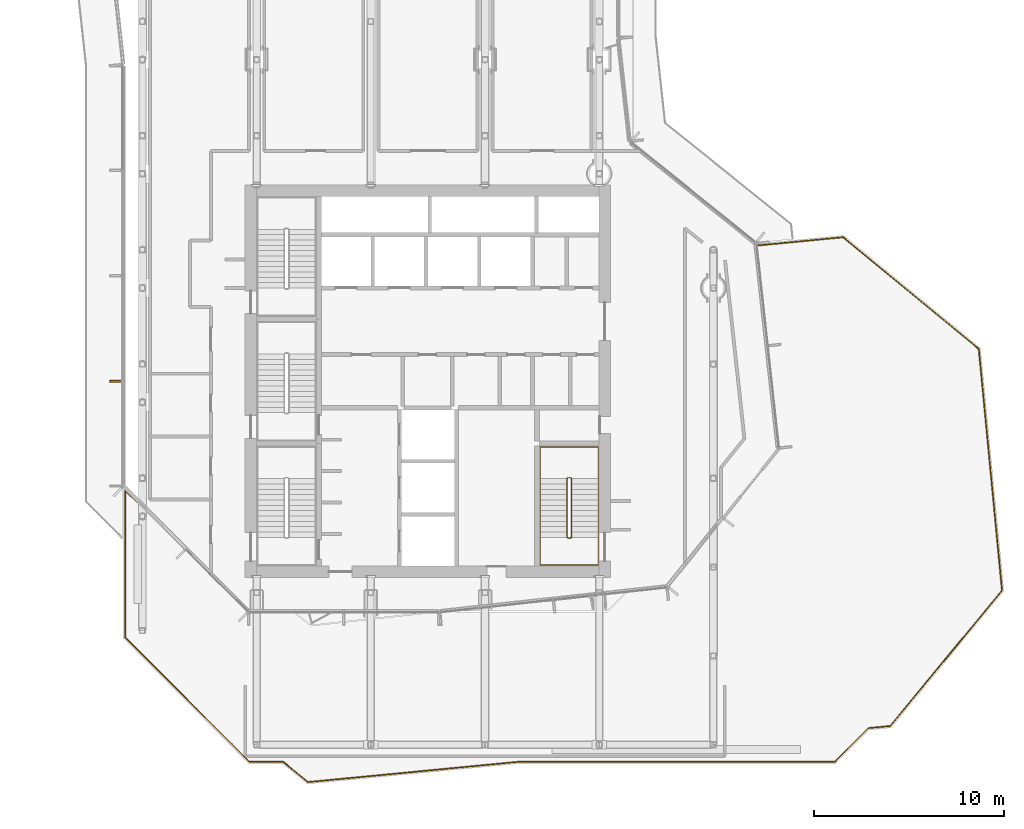
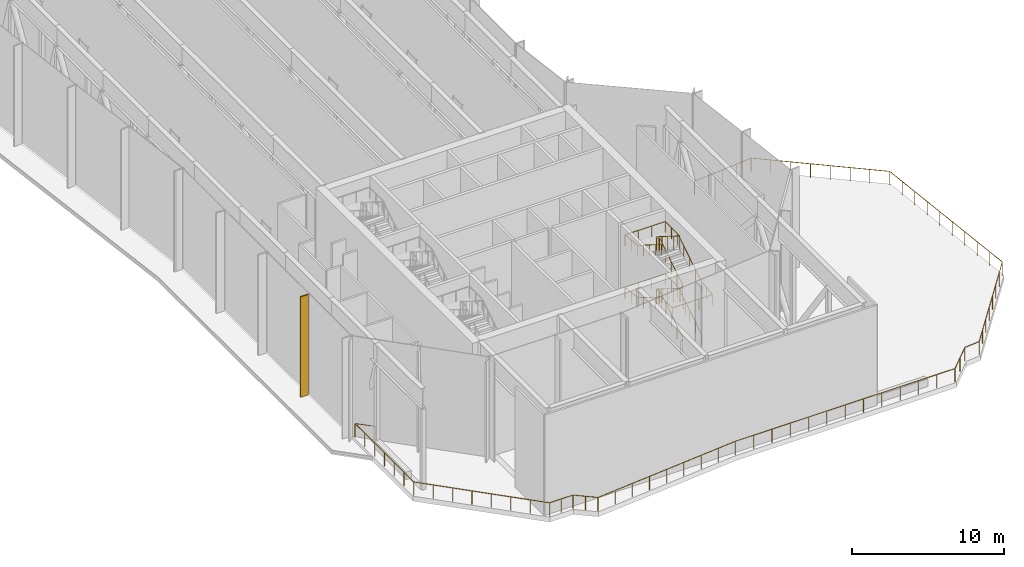
# One storey, part 17 of 22: 3 railings, 1 covering.
"""IFC4 building model written with IfcOpenShell, lengths in metres."""

from ifc_helpers import new_model, si_unit, direction, frame, origin, origin_2d, place, context, subcontext, project, spatial, rectangle, circle, extrude, material, layer, layer_set, type_object, element, save


model = new_model("IFC4")

# Units and contexts
model_context = context("Model", 3, precision=1e-05, world=origin(), true_north=direction((0.0, 1.0)))
body_context = subcontext(model_context, "Body", "Model", "MODEL_VIEW")
ifc_project = project(units=[si_unit("LENGTHUNIT", "METRE"), si_unit("AREAUNIT", "SQUARE_METRE"), si_unit("VOLUMEUNIT", "CUBIC_METRE"), si_unit("PLANEANGLEUNIT", "RADIAN"), si_unit("MASSUNIT", "GRAM", prefix="KILO")], contexts=[model_context])

# Site, building, storey
site_placement = place(None, origin())
site = spatial("IfcSite", under=ifc_project, at=site_placement, CompositionType="ELEMENT")
building_placement = place(site_placement, origin())
building = spatial("IfcBuilding", under=site, at=building_placement, Name="Welwitschia Terrace Campus", CompositionType="ELEMENT")
storey_placement = place(building_placement, frame((0.0, 0.0, 197.0)))
storey = spatial("IfcBuildingStorey", under=building, at=storey_placement, Name="L44", CompositionType="ELEMENT", Elevation=197.0)

# Covering
ifc_material_1 = material(Name="Bronze anodised aluminium", Category="aluminium")
ifc_layer = layer(ifc_material_1, 0.10009765625)
ifc_layer_set = layer_set([ifc_layer], Name="Bronze anodised aluminium")
covering_type = type_object("IfcCoveringType", Name="Bronze fin 100x600", PredefinedType="USERDEFINED", material=ifc_layer_set)
covering_placement = place(storey_placement, frame((-1.429931640625, 15.1025390625, 0.0), z_axis=(0.0, 0.0, 1.0), x_axis=(0.0, -1.0, 0.0)))
element("IfcCovering", 1, at=covering_placement, inside=storey, type_object=covering_type, Name="Fin L44.9.3", ObjectType="FIN", PredefinedType="USERDEFINED", context=body_context, shape_type="SweptSolid", body=[
    extrude(rectangle(XDim=0.10009765625, YDim=0.60009765625, at=origin_2d()), origin(), (0.0, 0.0, 1.0), 8.050048828125),
])

# Railings
ifc_material_2 = material(Name="Stainless steel grade 316", Category="steel")
railing_type_1 = type_object("IfcRailingType", Name="Guard 1100", PredefinedType="GUARDRAIL", material=ifc_material_2)
railing_1_placement = place(storey_placement, frame((32.281005859375, 22.227783203125, 0.0)))
element("IfcRailing", 2, at=railing_1_placement, inside=storey, type_object=railing_type_1, Name="Guard terrace L44:0:0.0", PredefinedType="GUARDRAIL", context=body_context, shape_type="SweptSolid", body=[
    extrude(circle(Radius=0.02392578125, at=origin_2d()), frame((0.0, 0.0, 1.076171875), z_axis=(0.995373656434, 0.096079571591, 0.0), x_axis=(-0.096079571591, 0.995373656434, 0.0)), (0.0, 0.0, 1.0), 4.56103515625),
    extrude(circle(Radius=0.02392578125, at=origin_2d()), frame((4.5400390625, 0.438232421875, 1.076171875), z_axis=(0.771624765853, -0.636077998929, 0.0), x_axis=(0.636077998929, 0.771624765853, 0.0)), (0.0, 0.0, 1.0), 9.23095703125),
    extrude(circle(Radius=0.02392578125, at=origin_2d()), frame((11.662841796875, -5.433349609375, 1.076171875), z_axis=(0.095831391641, -0.995397581058, 0.0), x_axis=(0.995397581058, 0.095831391641, 0.0)), (0.0, 0.0, 1.0), 12.74560546875),
    extrude(circle(Radius=0.02392578125, at=origin_2d()), frame((12.88427734375, -18.120361328125, 1.076171875), z_axis=(-0.636075232578, -0.771627046248, 0.0), x_axis=(0.771627046248, -0.636075232578, 0.0)), (0.0, 0.0, 1.0), 9.23046875),
    extrude(circle(Radius=0.02392578125, at=origin_2d()), frame((7.012939453125, -25.242919921875, 1.076171875), z_axis=(-0.995381420541, -0.0959991023, 0.0), x_axis=(0.0959991023, -0.995381420541, 0.0)), (0.0, 0.0, 1.0), 1.152099609375),
    extrude(circle(Radius=0.02392578125, at=origin_2d()), frame((5.8662109375, -25.353515625, 1.076171875), z_axis=(-0.70715542807, -0.707058130956, 0.0), x_axis=(0.707058130956, -0.70715542807, 0.0)), (0.0, 0.0, 1.0), 2.50927734375),
    extrude(circle(Radius=0.02392578125, at=origin_2d()), frame((4.091796875, -27.127685546875, 1.076171875), z_axis=(-1.0, 0.0, 0.0), x_axis=(0.0, -1.0, 0.0)), (0.0, 0.0, 1.0), 16.65283203125),
    extrude(circle(Radius=0.02392578125, at=origin_2d()), frame((-12.56103515625, -27.127685546875, 1.076171875), z_axis=(-0.995394809303, -0.095860177408, 0.0), x_axis=(0.095860177408, -0.995394809303, 0.0)), (0.0, 0.0, 1.0), 11.081298828125),
    extrude(circle(Radius=0.02392578125, at=origin_2d()), frame((-23.59130859375, -28.18994140625, 1.076171875), z_axis=(-0.771554474725, 0.636163259338, 0.0), x_axis=(-0.636163259338, -0.771554474725, 0.0)), (0.0, 0.0, 1.0), 1.669677734375),
    extrude(circle(Radius=0.02392578125, at=origin_2d()), frame((-24.879638671875, -27.127685546875, 1.076171875), z_axis=(-1.0, 0.0, 0.0), x_axis=(0.0, -1.0, 0.0)), (0.0, 0.0, 1.0), 1.774169921875),
    extrude(circle(Radius=0.02392578125, at=origin_2d()), frame((-26.65380859375, -27.127685546875, 1.076171875), z_axis=(-0.707106781187, 0.707106781187, 0.0), x_axis=(-0.707106781187, -0.707106781187, 0.0)), (0.0, 0.0, 1.0), 9.230712890625),
    extrude(circle(Radius=0.02392578125, at=origin_2d()), frame((-33.180908203125, -20.6005859375, 1.076171875), z_axis=(0.0, 1.0, 0.0), x_axis=(-1.0, 0.0, 0.0)), (0.0, 0.0, 1.0), 7.71728515625),
    extrude(circle(Radius=0.02392578125, at=origin_2d()), frame((-33.180908203125, -12.88330078125, 1.076171875), z_axis=(0.73183703642, -0.681479678438, 0.0), x_axis=(0.681479678438, 0.73183703642, 0.0)), (0.0, 0.0, 1.0), 1.401123046875),
    extrude(circle(Radius=0.02099609375, at=origin_2d()), origin(), (0.0, 0.0, 1.0), 1.052001953125),
    extrude(circle(Radius=0.02099609375, at=origin_2d()), frame((1.135009765625, 0.109619140625, 0.0)), (0.0, 0.0, 1.0), 1.052001953125),
    extrude(circle(Radius=0.02099609375, at=origin_2d()), frame((2.27001953125, 0.21923828125, 0.0)), (0.0, 0.0, 1.0), 1.052001953125),
    extrude(circle(Radius=0.02099609375, at=origin_2d()), frame((3.405029296875, 0.32861328125, 0.0)), (0.0, 0.0, 1.0), 1.052001953125),
    extrude(circle(Radius=0.02099609375, at=origin_2d()), frame((4.5400390625, 0.438232421875, 0.0)), (0.0, 0.0, 1.0), 1.052001953125),
    extrude(circle(Radius=0.02099609375, at=origin_2d()), frame((5.5576171875, -0.400634765625, 0.0)), (0.0, 0.0, 1.0), 1.052001953125),
    extrude(circle(Radius=0.02099609375, at=origin_2d()), frame((6.5751953125, -1.2392578125, 0.0)), (0.0, 0.0, 1.0), 1.052001953125),
    extrude(circle(Radius=0.02099609375, at=origin_2d()), frame((7.5927734375, -2.078125, 0.0)), (0.0, 0.0, 1.0), 1.052001953125),
    extrude(circle(Radius=0.02099609375, at=origin_2d()), frame((8.610107421875, -2.9169921875, 0.0)), (0.0, 0.0, 1.0), 1.052001953125),
    extrude(circle(Radius=0.02099609375, at=origin_2d()), frame((9.627685546875, -3.755859375, 0.0)), (0.0, 0.0, 1.0), 1.052001953125),
    extrude(circle(Radius=0.02099609375, at=origin_2d()), frame((10.645263671875, -4.594482421875, 0.0)), (0.0, 0.0, 1.0), 1.052001953125),
    extrude(circle(Radius=0.02099609375, at=origin_2d()), frame((11.662841796875, -5.433349609375, 0.0)), (0.0, 0.0, 1.0), 1.052001953125),
    extrude(circle(Radius=0.02099609375, at=origin_2d()), frame((11.798583984375, -6.843017578125, 0.0)), (0.0, 0.0, 1.0), 1.052001953125),
    extrude(circle(Radius=0.02099609375, at=origin_2d()), frame((11.934326171875, -8.252685546875, 0.0)), (0.0, 0.0, 1.0), 1.052001953125),
    extrude(circle(Radius=0.02099609375, at=origin_2d()), frame((12.070068359375, -9.662353515625, 0.0)), (0.0, 0.0, 1.0), 1.052001953125),
    extrude(circle(Radius=0.02099609375, at=origin_2d()), frame((12.205810546875, -11.072021484375, 0.0)), (0.0, 0.0, 1.0), 1.052001953125),
    extrude(circle(Radius=0.02099609375, at=origin_2d()), frame((12.34130859375, -12.481689453125, 0.0)), (0.0, 0.0, 1.0), 1.052001953125),
    extrude(circle(Radius=0.02099609375, at=origin_2d()), frame((12.47705078125, -13.891357421875, 0.0)), (0.0, 0.0, 1.0), 1.052001953125),
    extrude(circle(Radius=0.02099609375, at=origin_2d()), frame((12.61279296875, -15.301025390625, 0.0)), (0.0, 0.0, 1.0), 1.052001953125),
    extrude(circle(Radius=0.02099609375, at=origin_2d()), frame((12.74853515625, -16.710693359375, 0.0)), (0.0, 0.0, 1.0), 1.052001953125),
    extrude(circle(Radius=0.02099609375, at=origin_2d()), frame((12.88427734375, -18.120361328125, 0.0)), (0.0, 0.0, 1.0), 1.052001953125),
    extrude(circle(Radius=0.02099609375, at=origin_2d()), frame((12.04541015625, -19.137939453125, 0.0)), (0.0, 0.0, 1.0), 1.052001953125),
    extrude(circle(Radius=0.02099609375, at=origin_2d()), frame((11.206787109375, -20.1552734375, 0.0)), (0.0, 0.0, 1.0), 1.052001953125),
    extrude(circle(Radius=0.02099609375, at=origin_2d()), frame((10.367919921875, -21.1728515625, 0.0)), (0.0, 0.0, 1.0), 1.052001953125),
    extrude(circle(Radius=0.02099609375, at=origin_2d()), frame((9.529296875, -22.1904296875, 0.0)), (0.0, 0.0, 1.0), 1.052001953125),
    extrude(circle(Radius=0.02099609375, at=origin_2d()), frame((8.6904296875, -23.2080078125, 0.0)), (0.0, 0.0, 1.0), 1.052001953125),
    extrude(circle(Radius=0.02099609375, at=origin_2d()), frame((7.851806640625, -24.225341796875, 0.0)), (0.0, 0.0, 1.0), 1.052001953125),
    extrude(circle(Radius=0.02099609375, at=origin_2d()), frame((7.012939453125, -25.242919921875, 0.0)), (0.0, 0.0, 1.0), 1.052001953125),
    extrude(circle(Radius=0.02099609375, at=origin_2d()), frame((5.8662109375, -25.353515625, 0.0)), (0.0, 0.0, 1.0), 1.052001953125),
    extrude(circle(Radius=0.02099609375, at=origin_2d()), frame((4.97900390625, -26.24072265625, 0.0)), (0.0, 0.0, 1.0), 1.052001953125),
    extrude(circle(Radius=0.02099609375, at=origin_2d()), frame((4.091796875, -27.127685546875, 0.0)), (0.0, 0.0, 1.0), 1.052001953125),
    extrude(circle(Radius=0.02099609375, at=origin_2d()), frame((2.7041015625, -27.127685546875, 0.0)), (0.0, 0.0, 1.0), 1.052001953125),
    extrude(circle(Radius=0.02099609375, at=origin_2d()), frame((1.31640625, -27.127685546875, 0.0)), (0.0, 0.0, 1.0), 1.052001953125),
    extrude(circle(Radius=0.02099609375, at=origin_2d()), frame((-0.0712890625, -27.127685546875, 0.0)), (0.0, 0.0, 1.0), 1.052001953125),
    extrude(circle(Radius=0.02099609375, at=origin_2d()), frame((-1.459228515625, -27.127685546875, 0.0)), (0.0, 0.0, 1.0), 1.052001953125),
    extrude(circle(Radius=0.02099609375, at=origin_2d()), frame((-2.846923828125, -27.127685546875, 0.0)), (0.0, 0.0, 1.0), 1.052001953125),
    extrude(circle(Radius=0.02099609375, at=origin_2d()), frame((-4.234619140625, -27.127685546875, 0.0)), (0.0, 0.0, 1.0), 1.052001953125),
    extrude(circle(Radius=0.02099609375, at=origin_2d()), frame((-5.622314453125, -27.127685546875, 0.0)), (0.0, 0.0, 1.0), 1.052001953125),
    extrude(circle(Radius=0.02099609375, at=origin_2d()), frame((-7.010009765625, -27.127685546875, 0.0)), (0.0, 0.0, 1.0), 1.052001953125),
    extrude(circle(Radius=0.02099609375, at=origin_2d()), frame((-8.39794921875, -27.127685546875, 0.0)), (0.0, 0.0, 1.0), 1.052001953125),
    extrude(circle(Radius=0.02099609375, at=origin_2d()), frame((-9.78564453125, -27.127685546875, 0.0)), (0.0, 0.0, 1.0), 1.052001953125),
    extrude(circle(Radius=0.02099609375, at=origin_2d()), frame((-11.17333984375, -27.127685546875, 0.0)), (0.0, 0.0, 1.0), 1.052001953125),
    extrude(circle(Radius=0.02099609375, at=origin_2d()), frame((-12.56103515625, -27.127685546875, 0.0)), (0.0, 0.0, 1.0), 1.052001953125),
    extrude(circle(Radius=0.02099609375, at=origin_2d()), frame((-13.93994140625, -27.260498046875, 0.0)), (0.0, 0.0, 1.0), 1.052001953125),
    extrude(circle(Radius=0.02099609375, at=origin_2d()), frame((-15.318603515625, -27.393310546875, 0.0)), (0.0, 0.0, 1.0), 1.052001953125),
    extrude(circle(Radius=0.02099609375, at=origin_2d()), frame((-16.697265625, -27.526123046875, 0.0)), (0.0, 0.0, 1.0), 1.052001953125),
    extrude(circle(Radius=0.02099609375, at=origin_2d()), frame((-18.076171875, -27.65869140625, 0.0)), (0.0, 0.0, 1.0), 1.052001953125),
    extrude(circle(Radius=0.02099609375, at=origin_2d()), frame((-19.455078125, -27.79150390625, 0.0)), (0.0, 0.0, 1.0), 1.052001953125),
    extrude(circle(Radius=0.02099609375, at=origin_2d()), frame((-20.833740234375, -27.92431640625, 0.0)), (0.0, 0.0, 1.0), 1.052001953125),
    extrude(circle(Radius=0.02099609375, at=origin_2d()), frame((-22.21240234375, -28.05712890625, 0.0)), (0.0, 0.0, 1.0), 1.052001953125),
    extrude(circle(Radius=0.02099609375, at=origin_2d()), frame((-23.59130859375, -28.18994140625, 0.0)), (0.0, 0.0, 1.0), 1.052001953125),
    extrude(circle(Radius=0.02099609375, at=origin_2d()), frame((-24.2353515625, -27.65869140625, 0.0)), (0.0, 0.0, 1.0), 1.052001953125),
    extrude(circle(Radius=0.02099609375, at=origin_2d()), frame((-24.879638671875, -27.127685546875, 0.0)), (0.0, 0.0, 1.0), 1.052001953125),
    extrude(circle(Radius=0.02099609375, at=origin_2d()), frame((-25.7666015625, -27.127685546875, 0.0)), (0.0, 0.0, 1.0), 1.052001953125),
    extrude(circle(Radius=0.02099609375, at=origin_2d()), frame((-26.65380859375, -27.127685546875, 0.0)), (0.0, 0.0, 1.0), 1.052001953125),
    extrude(circle(Radius=0.02099609375, at=origin_2d()), frame((-27.586181640625, -26.1953125, 0.0)), (0.0, 0.0, 1.0), 1.052001953125),
    extrude(circle(Radius=0.02099609375, at=origin_2d()), frame((-28.518798828125, -25.2626953125, 0.0)), (0.0, 0.0, 1.0), 1.052001953125),
    extrude(circle(Radius=0.02099609375, at=origin_2d()), frame((-29.451171875, -24.330322265625, 0.0)), (0.0, 0.0, 1.0), 1.052001953125),
    extrude(circle(Radius=0.02099609375, at=origin_2d()), frame((-30.383544921875, -23.39794921875, 0.0)), (0.0, 0.0, 1.0), 1.052001953125),
    extrude(circle(Radius=0.02099609375, at=origin_2d()), frame((-31.31591796875, -22.465576171875, 0.0)), (0.0, 0.0, 1.0), 1.052001953125),
    extrude(circle(Radius=0.02099609375, at=origin_2d()), frame((-32.24853515625, -21.532958984375, 0.0)), (0.0, 0.0, 1.0), 1.052001953125),
    extrude(circle(Radius=0.02099609375, at=origin_2d()), frame((-33.180908203125, -20.6005859375, 0.0)), (0.0, 0.0, 1.0), 1.052001953125),
    extrude(circle(Radius=0.02099609375, at=origin_2d()), frame((-33.180908203125, -19.314453125, 0.0)), (0.0, 0.0, 1.0), 1.052001953125),
    extrude(circle(Radius=0.02099609375, at=origin_2d()), frame((-33.180908203125, -18.028076171875, 0.0)), (0.0, 0.0, 1.0), 1.052001953125),
    extrude(circle(Radius=0.02099609375, at=origin_2d()), frame((-33.180908203125, -16.741943359375, 0.0)), (0.0, 0.0, 1.0), 1.052001953125),
    extrude(circle(Radius=0.02099609375, at=origin_2d()), frame((-33.180908203125, -15.455810546875, 0.0)), (0.0, 0.0, 1.0), 1.052001953125),
    extrude(circle(Radius=0.02099609375, at=origin_2d()), frame((-33.180908203125, -14.16943359375, 0.0)), (0.0, 0.0, 1.0), 1.052001953125),
    extrude(circle(Radius=0.02099609375, at=origin_2d()), frame((-33.180908203125, -12.88330078125, 0.0)), (0.0, 0.0, 1.0), 1.052001953125),
    extrude(circle(Radius=0.02099609375, at=origin_2d()), frame((-32.155517578125, -13.838134765625, 0.0)), (0.0, 0.0, 1.0), 1.052001953125),
])
ifc_material_3 = material(Name="Steel S355", Category="steel")
railing_type_2 = type_object("IfcRailingType", Name="Stair guard 1100", PredefinedType="GUARDRAIL", material=ifc_material_3)
railing_2_placement = place(storey_placement, frame((22.35009765625, 6.85009765625, 0.0)))
element("IfcRailing", 3, at=railing_2_placement, inside=storey, type_object=railing_type_2, Name="L44 S2 stair guard", PredefinedType="GUARDRAIL", context=body_context, shape_type="SweptSolid", body=[
    extrude(circle(Radius=0.02392578125, at=origin_2d()), frame((0.0, 0.0, 1.076171875), z_axis=(1.0, 0.0, 0.0), x_axis=(0.0, 1.0, 0.0)), (0.0, 0.0, 1.0), 0.14990234375),
    extrude(circle(Radius=0.02392578125, at=origin_2d()), frame((0.14990234375, 0.0, 1.076171875), z_axis=(0.265155923931, 0.263862480399, 0.927399011991), x_axis=(-0.705375805398, 0.708833529934, 0.0)), (0.0, 0.0, 1.0), 0.188720703125),
    extrude(circle(Radius=0.02392578125, at=origin_2d()), frame((0.199951171875, 0.0498046875, 1.2509765625), z_axis=(0.0, 0.847998304005, 0.529998940003), x_axis=(-1.0, 0.0, 0.0)), (0.0, 0.0, 1.0), 3.632080078125),
    extrude(circle(Radius=0.02392578125, at=origin_2d()), frame((0.199951171875, 3.1298828125, 3.17626953125), z_axis=(-0.707106781187, 0.707106781187, 0.0), x_axis=(-0.707106781187, -0.707106781187, 0.0)), (0.0, 0.0, 1.0), 0.07080078125),
    extrude(circle(Radius=0.02392578125, at=origin_2d()), frame((0.14990234375, 3.179931640625, 3.17626953125), z_axis=(-1.0, 0.0, 0.0), x_axis=(0.0, -1.0, 0.0)), (0.0, 0.0, 1.0), 0.14990234375),
    extrude(circle(Radius=0.02392578125, at=origin_2d()), frame((0.0, 3.179931640625, 3.17626953125), z_axis=(-0.265383341853, -0.265383341853, 0.926899867156), x_axis=(0.707106781187, -0.707106781187, 0.0)), (0.0, 0.0, 1.0), 0.1884765625),
    extrude(circle(Radius=0.02392578125, at=origin_2d()), frame((-0.050048828125, 3.1298828125, 3.35107421875), z_axis=(0.0, -0.847998304005, 0.529998940003), x_axis=(1.0, 0.0, 0.0)), (0.0, 0.0, 1.0), 3.632080078125),
    extrude(circle(Radius=0.02392578125, at=origin_2d()), frame((-0.050048828125, 0.0498046875, 5.27587890625), z_axis=(0.970351222016, -0.241699205484, 0.0), x_axis=(0.241699205484, 0.970351222016, 0.0)), (0.0, 0.0, 1.0), 0.2060546875),
    extrude(circle(Radius=0.02392578125, at=origin_2d()), frame((0.14990234375, 0.0, 5.27587890625), z_axis=(-1.0, 0.0, 0.0), x_axis=(0.0, -1.0, 0.0)), (0.0, 0.0, 1.0), 0.14990234375),
    extrude(circle(Radius=0.02392578125, at=origin_2d()), frame((0.0, 0.0, 5.27587890625), z_axis=(0.739530593833, 0.18420542264, 0.647427882513), x_axis=(-0.241699205484, 0.970351222016, 0.0)), (0.0, 0.0, 1.0), 0.270263671875),
    extrude(circle(Radius=0.02392578125, at=origin_2d()), frame((0.199951171875, 0.0498046875, 5.451171875), z_axis=(0.0, 0.847998304005, 0.529998940003), x_axis=(-1.0, 0.0, 0.0)), (0.0, 0.0, 1.0), 3.632080078125),
    extrude(circle(Radius=0.02392578125, at=origin_2d()), frame((0.199951171875, 3.1298828125, 7.3759765625), z_axis=(-0.707106781187, 0.707106781187, 0.0), x_axis=(-0.707106781187, -0.707106781187, 0.0)), (0.0, 0.0, 1.0), 0.07080078125),
    extrude(circle(Radius=0.02392578125, at=origin_2d()), frame((0.14990234375, 3.179931640625, 7.3759765625), z_axis=(-1.0, 0.0, 0.0), x_axis=(0.0, -1.0, 0.0)), (0.0, 0.0, 1.0), 0.14990234375),
    extrude(circle(Radius=0.02392578125, at=origin_2d()), frame((0.0, 3.179931640625, 7.3759765625), z_axis=(-0.265065253269, -0.265065253269, 0.927081885822), x_axis=(0.707106781187, -0.707106781187, 0.0)), (0.0, 0.0, 1.0), 0.188720703125),
    extrude(circle(Radius=0.02392578125, at=origin_2d()), frame((-0.050048828125, 3.1298828125, 7.55126953125), z_axis=(0.0, -0.848028513186, 0.529950602248), x_axis=(1.0, 0.0, 0.0)), (0.0, 0.0, 1.0), 3.632080078125),
    extrude(circle(Radius=0.02099609375, at=origin_2d()), origin(), (0.0, 0.0, 1.0), 1.052001953125),
    extrude(circle(Radius=0.02099609375, at=origin_2d()), frame((0.14990234375, 0.0, 0.0)), (0.0, 0.0, 1.0), 1.052001953125),
    extrude(circle(Radius=0.02099609375, at=origin_2d()), frame((0.199951171875, 0.0498046875, 0.175048828125)), (0.0, 0.0, 1.0), 1.052001953125),
    extrude(circle(Radius=0.02099609375, at=origin_2d()), frame((0.199951171875, 0.81982421875, 0.65625)), (0.0, 0.0, 1.0), 1.052001953125),
    extrude(circle(Radius=0.02099609375, at=origin_2d()), frame((0.199951171875, 1.58984375, 1.1376953125)), (0.0, 0.0, 1.0), 1.052001953125),
    extrude(circle(Radius=0.02099609375, at=origin_2d()), frame((0.199951171875, 2.35986328125, 1.618896484375)), (0.0, 0.0, 1.0), 1.052001953125),
    extrude(circle(Radius=0.02099609375, at=origin_2d()), frame((0.199951171875, 3.1298828125, 2.10009765625)), (0.0, 0.0, 1.0), 1.052001953125),
    extrude(circle(Radius=0.02099609375, at=origin_2d()), frame((0.14990234375, 3.179931640625, 2.10009765625)), (0.0, 0.0, 1.0), 1.052001953125),
    extrude(circle(Radius=0.02099609375, at=origin_2d()), frame((0.0, 3.179931640625, 2.10009765625)), (0.0, 0.0, 1.0), 1.052001953125),
    extrude(circle(Radius=0.02099609375, at=origin_2d()), frame((-0.050048828125, 3.1298828125, 2.27490234375)), (0.0, 0.0, 1.0), 1.052001953125),
    extrude(circle(Radius=0.02099609375, at=origin_2d()), frame((-0.050048828125, 2.35986328125, 2.756103515625)), (0.0, 0.0, 1.0), 1.052001953125),
    extrude(circle(Radius=0.02099609375, at=origin_2d()), frame((-0.050048828125, 1.58984375, 3.2373046875)), (0.0, 0.0, 1.0), 1.052001953125),
    extrude(circle(Radius=0.02099609375, at=origin_2d()), frame((-0.050048828125, 0.81982421875, 3.71875)), (0.0, 0.0, 1.0), 1.052001953125),
    extrude(circle(Radius=0.02099609375, at=origin_2d()), frame((-0.050048828125, 0.0498046875, 4.199951171875)), (0.0, 0.0, 1.0), 1.052001953125),
    extrude(circle(Radius=0.02099609375, at=origin_2d()), frame((0.14990234375, 0.0, 4.199951171875)), (0.0, 0.0, 1.0), 1.052001953125),
    extrude(circle(Radius=0.02099609375, at=origin_2d()), frame((0.0, 0.0, 4.199951171875)), (0.0, 0.0, 1.0), 1.052001953125),
    extrude(circle(Radius=0.02099609375, at=origin_2d()), frame((0.199951171875, 0.0498046875, 4.375)), (0.0, 0.0, 1.0), 1.052001953125),
    extrude(circle(Radius=0.02099609375, at=origin_2d()), frame((0.199951171875, 0.81982421875, 4.856201171875)), (0.0, 0.0, 1.0), 1.052001953125),
    extrude(circle(Radius=0.02099609375, at=origin_2d()), frame((0.199951171875, 1.58984375, 5.33740234375)), (0.0, 0.0, 1.0), 1.052001953125),
    extrude(circle(Radius=0.02099609375, at=origin_2d()), frame((0.199951171875, 2.35986328125, 5.81884765625)), (0.0, 0.0, 1.0), 1.052001953125),
    extrude(circle(Radius=0.02099609375, at=origin_2d()), frame((0.199951171875, 3.1298828125, 6.300048828125)), (0.0, 0.0, 1.0), 1.052001953125),
    extrude(circle(Radius=0.02099609375, at=origin_2d()), frame((0.14990234375, 3.179931640625, 6.300048828125)), (0.0, 0.0, 1.0), 1.052001953125),
    extrude(circle(Radius=0.02099609375, at=origin_2d()), frame((0.0, 3.179931640625, 6.300048828125)), (0.0, 0.0, 1.0), 1.052001953125),
    extrude(circle(Radius=0.02099609375, at=origin_2d()), frame((-0.050048828125, 3.1298828125, 6.47509765625)), (0.0, 0.0, 1.0), 1.052001953125),
    extrude(circle(Radius=0.02099609375, at=origin_2d()), frame((-0.050048828125, 2.35986328125, 6.956298828125)), (0.0, 0.0, 1.0), 1.052001953125),
    extrude(circle(Radius=0.02099609375, at=origin_2d()), frame((-0.050048828125, 1.58984375, 7.4375)), (0.0, 0.0, 1.0), 1.052001953125),
    extrude(circle(Radius=0.02099609375, at=origin_2d()), frame((-0.050048828125, 0.81982421875, 7.918701171875)), (0.0, 0.0, 1.0), 1.052001953125),
    extrude(circle(Radius=0.02099609375, at=origin_2d()), frame((-0.050048828125, 0.0498046875, 8.39990234375)), (0.0, 0.0, 1.0), 1.052001953125),
])
ifc_material_4 = material(Name="Steel S355", Category="steel")
railing_type_3 = type_object("IfcRailingType", Name="Stair handrail 900", PredefinedType="HANDRAIL", material=ifc_material_4)
railing_3_placement = place(storey_placement, frame((23.949951171875, 6.89990234375, 0.175048828125)))
element("IfcRailing", 4, at=railing_3_placement, inside=storey, type_object=railing_type_3, Name="L44 S2 stair handrail", PredefinedType="HANDRAIL", context=body_context, shape_type="SweptSolid", body=[
    extrude(circle(Radius=0.02392578125, at=origin_2d()), frame((0.0, 0.0, 0.8759765625), z_axis=(0.0, 0.847998304005, 0.529998940003), x_axis=(-1.0, 0.0, 0.0)), (0.0, 0.0, 1.0), 3.632080078125),
    extrude(circle(Radius=0.02392578125, at=origin_2d()), frame((0.0, 3.080078125, 2.80078125), z_axis=(0.0, 1.0, 0.0), x_axis=(-1.0, 0.0, 0.0)), (0.0, 0.0, 1.0), 1.669921875),
    extrude(circle(Radius=0.02392578125, at=origin_2d()), frame((0.0, 4.75, 2.80078125), z_axis=(-1.0, 0.0, 0.0), x_axis=(0.0, -1.0, 0.0)), (0.0, 0.0, 1.0), 3.050048828125),
    extrude(circle(Radius=0.02392578125, at=origin_2d()), frame((-3.050048828125, 4.75, 2.80078125), z_axis=(0.0, -0.994565838508, 0.104109523446), x_axis=(1.0, 0.0, 0.0)), (0.0, 0.0, 1.0), 1.678955078125),
    extrude(circle(Radius=0.02392578125, at=origin_2d()), frame((-3.050048828125, 3.080078125, 2.9755859375), z_axis=(0.0, -0.847998304005, 0.529998940003), x_axis=(1.0, 0.0, 0.0)), (0.0, 0.0, 1.0), 3.632080078125),
    extrude(circle(Radius=0.02392578125, at=origin_2d()), frame((-3.050048828125, 0.0, 4.90087890625), z_axis=(0.0, -1.0, 0.0), x_axis=(1.0, 0.0, 0.0)), (0.0, 0.0, 1.0), 1.449951171875),
    extrude(circle(Radius=0.02392578125, at=origin_2d()), frame((-3.050048828125, -1.449951171875, 4.90087890625), z_axis=(1.0, 0.0, 0.0), x_axis=(0.0, 1.0, 0.0)), (0.0, 0.0, 1.0), 3.050048828125),
    extrude(circle(Radius=0.02392578125, at=origin_2d()), frame((0.0, -1.449951171875, 4.90087890625), z_axis=(0.0, 0.992791155251, 0.119857090136), x_axis=(-1.0, 0.0, 0.0)), (0.0, 0.0, 1.0), 1.46044921875),
    extrude(circle(Radius=0.02392578125, at=origin_2d()), frame((0.0, 0.0, 5.07568359375), z_axis=(0.0, 0.847998304005, 0.529998940003), x_axis=(-1.0, 0.0, 0.0)), (0.0, 0.0, 1.0), 3.632080078125),
    extrude(circle(Radius=0.02392578125, at=origin_2d()), frame((0.0, 3.080078125, 7.0009765625), z_axis=(0.0, 1.0, 0.0), x_axis=(-1.0, 0.0, 0.0)), (0.0, 0.0, 1.0), 1.669921875),
    extrude(circle(Radius=0.02392578125, at=origin_2d()), frame((0.0, 4.75, 7.0009765625), z_axis=(-1.0, 0.0, 0.0), x_axis=(0.0, -1.0, 0.0)), (0.0, 0.0, 1.0), 3.050048828125),
    extrude(circle(Radius=0.02392578125, at=origin_2d()), frame((-3.050048828125, 4.75, 7.0009765625), z_axis=(0.0, -0.99455077262, 0.104253348533), x_axis=(1.0, 0.0, 0.0)), (0.0, 0.0, 1.0), 1.678955078125),
    extrude(circle(Radius=0.02392578125, at=origin_2d()), frame((-3.050048828125, 3.080078125, 7.17578125), z_axis=(0.0, -0.848028513186, 0.529950602248), x_axis=(1.0, 0.0, 0.0)), (0.0, 0.0, 1.0), 3.632080078125),
    extrude(circle(Radius=0.02099609375, at=origin_2d()), origin(), (0.0, 0.0, 1.0), 0.851806640625),
    extrude(circle(Radius=0.02099609375, at=origin_2d()), frame((0.0, 0.77001953125, 0.481201171875)), (0.0, 0.0, 1.0), 0.851806640625),
    extrude(circle(Radius=0.02099609375, at=origin_2d()), frame((0.0, 1.5400390625, 0.96240234375)), (0.0, 0.0, 1.0), 0.851806640625),
    extrude(circle(Radius=0.02099609375, at=origin_2d()), frame((0.0, 2.31005859375, 1.44384765625)), (0.0, 0.0, 1.0), 0.851806640625),
    extrude(circle(Radius=0.02099609375, at=origin_2d()), frame((0.0, 3.080078125, 1.925048828125)), (0.0, 0.0, 1.0), 0.851806640625),
    extrude(circle(Radius=0.02099609375, at=origin_2d()), frame((0.0, 3.9150390625, 1.925048828125)), (0.0, 0.0, 1.0), 0.851806640625),
    extrude(circle(Radius=0.02099609375, at=origin_2d()), frame((0.0, 4.75, 1.925048828125)), (0.0, 0.0, 1.0), 0.851806640625),
    extrude(circle(Radius=0.02099609375, at=origin_2d()), frame((-1.0166015625, 4.75, 1.925048828125)), (0.0, 0.0, 1.0), 0.851806640625),
    extrude(circle(Radius=0.02099609375, at=origin_2d()), frame((-2.033447265625, 4.75, 1.925048828125)), (0.0, 0.0, 1.0), 0.851806640625),
    extrude(circle(Radius=0.02099609375, at=origin_2d()), frame((-3.050048828125, 4.75, 1.925048828125)), (0.0, 0.0, 1.0), 0.851806640625),
    extrude(circle(Radius=0.02099609375, at=origin_2d()), frame((-3.050048828125, 3.9150390625, 2.012451171875)), (0.0, 0.0, 1.0), 0.851806640625),
    extrude(circle(Radius=0.02099609375, at=origin_2d()), frame((-3.050048828125, 3.080078125, 2.099853515625)), (0.0, 0.0, 1.0), 0.851806640625),
    extrude(circle(Radius=0.02099609375, at=origin_2d()), frame((-3.050048828125, 2.31005859375, 2.5810546875)), (0.0, 0.0, 1.0), 0.851806640625),
    extrude(circle(Radius=0.02099609375, at=origin_2d()), frame((-3.050048828125, 1.5400390625, 3.0625)), (0.0, 0.0, 1.0), 0.851806640625),
    extrude(circle(Radius=0.02099609375, at=origin_2d()), frame((-3.050048828125, 0.77001953125, 3.543701171875)), (0.0, 0.0, 1.0), 0.851806640625),
    extrude(circle(Radius=0.02099609375, at=origin_2d()), frame((-3.050048828125, 0.0, 4.02490234375)), (0.0, 0.0, 1.0), 0.851806640625),
    extrude(circle(Radius=0.02099609375, at=origin_2d()), frame((-3.050048828125, -0.72509765625, 4.02490234375)), (0.0, 0.0, 1.0), 0.851806640625),
    extrude(circle(Radius=0.02099609375, at=origin_2d()), frame((-3.050048828125, -1.449951171875, 4.02490234375)), (0.0, 0.0, 1.0), 0.851806640625),
    extrude(circle(Radius=0.02099609375, at=origin_2d()), frame((-2.033447265625, -1.449951171875, 4.02490234375)), (0.0, 0.0, 1.0), 0.851806640625),
    extrude(circle(Radius=0.02099609375, at=origin_2d()), frame((-1.0166015625, -1.449951171875, 4.02490234375)), (0.0, 0.0, 1.0), 0.851806640625),
    extrude(circle(Radius=0.02099609375, at=origin_2d()), frame((0.0, -1.449951171875, 4.02490234375)), (0.0, 0.0, 1.0), 0.851806640625),
    extrude(circle(Radius=0.02099609375, at=origin_2d()), frame((0.0, -0.72509765625, 4.1123046875)), (0.0, 0.0, 1.0), 0.851806640625),
    extrude(circle(Radius=0.02099609375, at=origin_2d()), frame((0.0, 0.0, 4.199951171875)), (0.0, 0.0, 1.0), 0.851806640625),
    extrude(circle(Radius=0.02099609375, at=origin_2d()), frame((0.0, 0.77001953125, 4.68115234375)), (0.0, 0.0, 1.0), 0.851806640625),
    extrude(circle(Radius=0.02099609375, at=origin_2d()), frame((0.0, 1.5400390625, 5.16259765625)), (0.0, 0.0, 1.0), 0.851806640625),
    extrude(circle(Radius=0.02099609375, at=origin_2d()), frame((0.0, 2.31005859375, 5.643798828125)), (0.0, 0.0, 1.0), 0.851806640625),
    extrude(circle(Radius=0.02099609375, at=origin_2d()), frame((0.0, 3.080078125, 6.125)), (0.0, 0.0, 1.0), 0.851806640625),
    extrude(circle(Radius=0.02099609375, at=origin_2d()), frame((0.0, 3.9150390625, 6.125)), (0.0, 0.0, 1.0), 0.851806640625),
    extrude(circle(Radius=0.02099609375, at=origin_2d()), frame((0.0, 4.75, 6.125)), (0.0, 0.0, 1.0), 0.851806640625),
    extrude(circle(Radius=0.02099609375, at=origin_2d()), frame((-1.0166015625, 4.75, 6.125)), (0.0, 0.0, 1.0), 0.851806640625),
    extrude(circle(Radius=0.02099609375, at=origin_2d()), frame((-2.033447265625, 4.75, 6.125)), (0.0, 0.0, 1.0), 0.851806640625),
    extrude(circle(Radius=0.02099609375, at=origin_2d()), frame((-3.050048828125, 4.75, 6.125)), (0.0, 0.0, 1.0), 0.851806640625),
    extrude(circle(Radius=0.02099609375, at=origin_2d()), frame((-3.050048828125, 3.9150390625, 6.21240234375)), (0.0, 0.0, 1.0), 0.851806640625),
    extrude(circle(Radius=0.02099609375, at=origin_2d()), frame((-3.050048828125, 3.080078125, 6.300048828125)), (0.0, 0.0, 1.0), 0.851806640625),
    extrude(circle(Radius=0.02099609375, at=origin_2d()), frame((-3.050048828125, 2.31005859375, 6.78125)), (0.0, 0.0, 1.0), 0.851806640625),
    extrude(circle(Radius=0.02099609375, at=origin_2d()), frame((-3.050048828125, 1.5400390625, 7.262451171875)), (0.0, 0.0, 1.0), 0.851806640625),
    extrude(circle(Radius=0.02099609375, at=origin_2d()), frame((-3.050048828125, 0.77001953125, 7.74365234375)), (0.0, 0.0, 1.0), 0.851806640625),
    extrude(circle(Radius=0.02099609375, at=origin_2d()), frame((-3.050048828125, 0.0, 8.224853515625)), (0.0, 0.0, 1.0), 0.851806640625),
])

save(model, "model.ifc")
